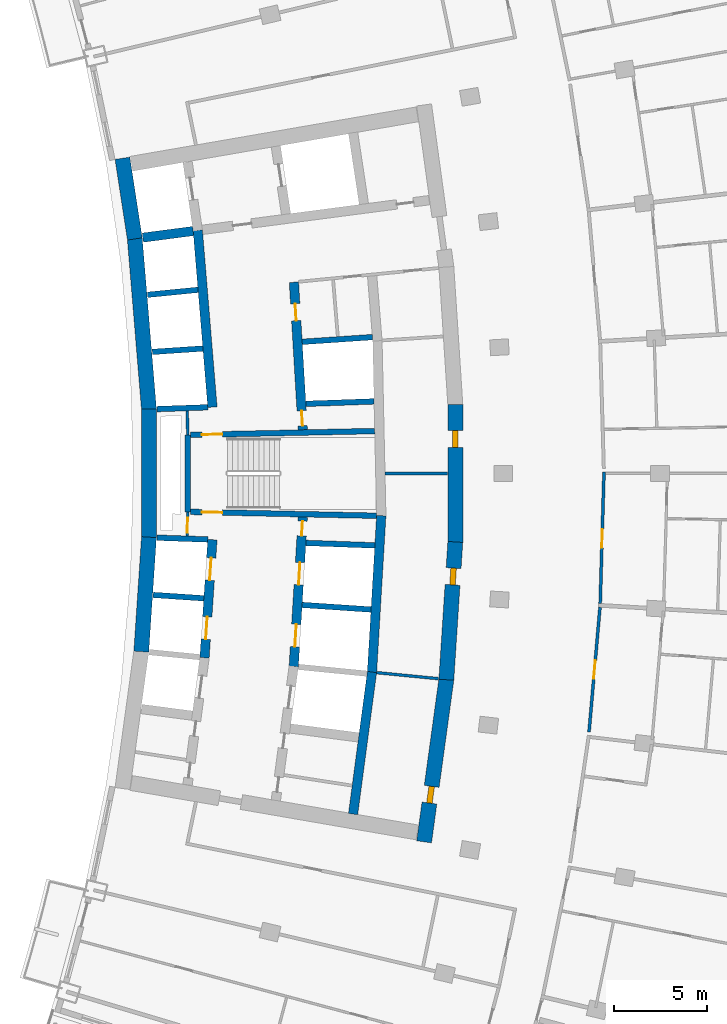
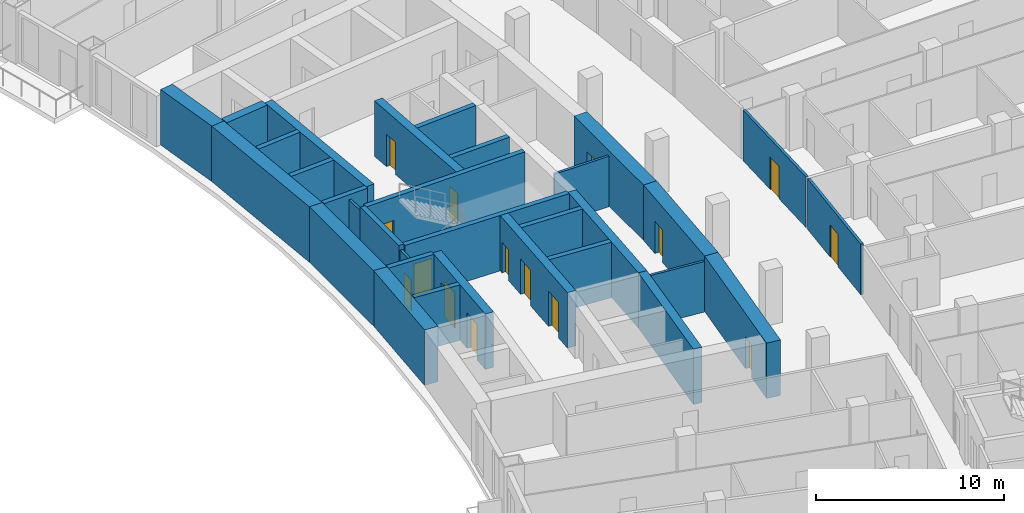
# One storey, part 16 of 25: 32 walls, 15 doors, 15 openings.
"""IFC4 building model written with IfcOpenShell, lengths in metres."""

from ifc_helpers import new_model, si_unit, direction, frame, frame_2d, origin, place, context, subcontext, project, spatial, rectangle, extrude, material, layer, layer_set, type_object, element, fill, save


model = new_model("IFC4")

# Units and contexts
model_context = context("Model", 3, precision=1e-05, world=origin(), true_north=direction((0.0, 1.0)))
body_context = subcontext(model_context, "Body", "Model", "MODEL_VIEW")
ifc_project = project(units=[si_unit("LENGTHUNIT", "METRE"), si_unit("AREAUNIT", "SQUARE_METRE"), si_unit("VOLUMEUNIT", "CUBIC_METRE"), si_unit("PLANEANGLEUNIT", "RADIAN"), si_unit("MASSUNIT", "GRAM", prefix="KILO")], contexts=[model_context])

# Site, building, storey
site_placement = place(None, origin())
site = spatial("IfcSite", under=ifc_project, at=site_placement, CompositionType="ELEMENT")
building_placement = place(site_placement, origin())
building = spatial("IfcBuilding", under=site, at=building_placement, Name="Alderwake Tower", CompositionType="ELEMENT")
storey_placement = place(building_placement, frame((0.0, 0.0, 107.60009765625)))
storey = spatial("IfcBuildingStorey", under=building, at=storey_placement, Name="L26", CompositionType="ELEMENT", Elevation=107.60009765625)

# Wall, opening, door
ifc_material_1 = material(Name="Gypsum shaft wall system, rated")
ifc_layer_1 = layer(ifc_material_1, 0.14990234375)
ifc_layer_set_1 = layer_set([ifc_layer_1], Name="Core room partition 150")
wall_type_1 = type_object("IfcWallType", Name="Core room partition 150", PredefinedType="PARTITIONING", material=ifc_layer_set_1)
wall_1_placement = place(storey_placement, frame((18.918701171875, 58.94384765625, 0.0), z_axis=(0.0, 0.0, 1.0), x_axis=(-0.027348257573, -0.999625966453, 0.0)))
wall_1 = element("IfcWall", 1, at=wall_1_placement, inside=storey, type_object=wall_type_1, Name="CW/L26/PA+24_-37", PredefinedType="PARTITIONING", context=body_context, shape_type="SweptSolid", body=[
    extrude(rectangle(XDim=1.29443359375, YDim=0.14990234375, at=frame_2d((0.647216796875, 0.0))), origin(), (0.0, 0.0, 1.0), 3.27978515625),
])
opening_1_placement = place(wall_1_placement, frame((0.322998046875, 0.0, 0.0)))
opening_1 = element("IfcOpeningElement", 2, at=opening_1_placement, cuts=wall_1, Name="Opening C004", PredefinedType="OPENING", context=body_context, shape_type="SweptSolid", body=[
    extrude(rectangle(XDim=0.800048828125, YDim=2.0, at=frame_2d((0.39990234375, 1.0))), frame((0.0, 0.0849609375, 0.0), z_axis=(0.0, -1.0, 0.0), x_axis=(1.0, 0.0, 0.0)), (0.0, 0.0, 1.0), 0.169921875),
])
ifc_material_2 = material(Name="Painted steel leaf, rated", Category="steel")
door_type_1 = type_object("IfcDoorType", Name="Riser access door 800", OperationType="SINGLE_SWING_LEFT", PredefinedType="DOOR", material=ifc_material_2)
door_1_placement = place(opening_1_placement, origin())
door_1 = element("IfcDoor", 3, at=door_1_placement, inside=storey, type_object=door_type_1, Name="Riser access door", OperationType="SINGLE_SWING_RIGHT", OverallHeight=2.0, OverallWidth=0.800048828125, PredefinedType="DOOR", context=body_context, shape_type="SweptSolid", body=[
    extrude(rectangle(XDim=0.800048828125, YDim=2.0, at=frame_2d((0.39990234375, 1.0))), frame((0.0, 0.02490234375, 0.0), z_axis=(0.0, -1.0, 0.0), x_axis=(1.0, 0.0, 0.0)), (0.0, 0.0, 1.0), 0.050048828125),
])
fill(opening_1, door_1)

# Walls
wall_2_placement = place(storey_placement, frame((18.918701171875, 63.05517578125, 0.0), z_axis=(0.0, 0.0, 1.0), x_axis=(-0.027327648352, 0.999626530078, 0.0)))
element("IfcWall", 4, at=wall_2_placement, inside=storey, type_object=wall_type_1, Name="CW/L26/PA+24_+22", PredefinedType="PARTITIONING", context=body_context, shape_type="SweptSolid", body=[
    extrude(rectangle(XDim=1.29541015625, YDim=0.14990234375, at=frame_2d((0.647705078125, 0.0))), origin(), (0.0, 0.0, 1.0), 3.27978515625),
])
wall_3_placement = place(storey_placement, frame((29.029296875, 50.331298828125, 0.0), z_axis=(0.0, 0.0, 1.0), x_axis=(0.995248248589, -0.097370034814, 0.0)))
element("IfcWall", 5, at=wall_3_placement, inside=storey, type_object=wall_type_1, Name="CW/L26/PR-102_+128", PredefinedType="PARTITIONING", context=body_context, shape_type="SweptSolid", body=[
    extrude(rectangle(XDim=3.31982421875, YDim=0.14990234375, at=frame_2d((1.659912109375, 0.0))), origin(), (0.0, 0.0, 1.0), 3.27978515625),
])
wall_4_placement = place(storey_placement, frame((29.47607421875, 61.0, 0.0), z_axis=(0.0, 0.0, 1.0), x_axis=(1.0, 0.0, 0.0)))
element("IfcWall", 6, at=wall_4_placement, inside=storey, type_object=wall_type_1, Name="CW/L26/PR+0_+128", PredefinedType="PARTITIONING", context=body_context, shape_type="SweptSolid", body=[
    extrude(rectangle(XDim=3.333984375, YDim=0.14990234375, at=frame_2d((1.6669921875, 0.0))), origin(), (0.0, 0.0, 1.0), 3.27978515625),
])
ifc_material_3 = material(Name="Concrete C70/85", Category="concrete")
ifc_layer_2 = layer(ifc_material_3, 0.800048828125)
ifc_layer_set_2 = layer_set([ifc_layer_2], Name="Core wall outer 800 C70-85")
wall_type_2 = type_object("IfcWallType", Name="Core wall outer 800 C70-85", PredefinedType="SHEAR", material=ifc_layer_set_2)
wall_5_placement = place(storey_placement, frame((16.429443359375, 51.45654296875, 0.0), z_axis=(0.0, 0.0, 1.0), x_axis=(0.066885651624, 0.997760647454, 0.0)))
element("IfcWall", 7, at=wall_5_placement, inside=storey, type_object=wall_type_2, Name="Core wall CW.041", PredefinedType="SHEAR", context=body_context, shape_type="SweptSolid", body=[
    extrude(rectangle(XDim=6.14306640625, YDim=0.800048828125, at=frame_2d((3.071533203125, 0.0))), origin(), (0.0, 0.0, 1.0), 3.599853515625),
])
wall_6_placement = place(storey_placement, frame((16.83935546875, 57.558349609375, 0.0), z_axis=(0.0, 0.0, 1.0), x_axis=(0.0, 1.0, 0.0)))
element("IfcWall", 8, at=wall_6_placement, inside=storey, type_object=wall_type_2, Name="Core wall CW.043", PredefinedType="SHEAR", context=body_context, shape_type="SweptSolid", body=[
    extrude(rectangle(XDim=6.886474609375, YDim=0.800048828125, at=frame_2d((3.443359375, 0.0))), origin(), (0.0, 0.0, 1.0), 3.599853515625),
])
wall_7_placement = place(storey_placement, frame((16.8408203125, 64.410888671875, 0.0), z_axis=(0.0, 0.0, 1.0), x_axis=(-0.082619502339, 0.996581164699, 0.0)))
element("IfcWall", 9, at=wall_7_placement, inside=storey, type_object=wall_type_2, Name="Core wall CW.040", PredefinedType="SHEAR", context=body_context, shape_type="SweptSolid", body=[
    extrude(rectangle(XDim=9.201904296875, YDim=0.800048828125, at=frame_2d((4.60107421875, 0.0))), origin(), (0.0, 0.0, 1.0), 3.599853515625),
])
wall_8_placement = place(storey_placement, frame((16.083984375, 73.552490234375, 0.0), z_axis=(0.0, 0.0, 1.0), x_axis=(-0.151981606421, 0.988383322052, 0.0)))
element("IfcWall", 10, at=wall_8_placement, inside=storey, type_object=wall_type_2, Name="Core wall CW.039", PredefinedType="SHEAR", context=body_context, shape_type="SweptSolid", body=[
    extrude(rectangle(XDim=4.369384765625, YDim=0.800048828125, at=frame_2d((2.1845703125, 0.0))), origin(), (0.0, 0.0, 1.0), 3.599853515625),
])

# Wall, opening, door
wall_9_placement = place(storey_placement, frame((32.763427734375, 49.980712890625, 0.0), z_axis=(0.0, 0.0, 1.0), x_axis=(-0.135838347444, -0.990731014637, 0.0)))
wall_9 = element("IfcWall", 11, at=wall_9_placement, inside=storey, type_object=wall_type_2, Name="Core wall CW.012", PredefinedType="SHEAR", context=body_context, shape_type="SweptSolid", body=[
    extrude(rectangle(XDim=8.788818359375, YDim=0.800048828125, at=frame_2d((4.39453125, 0.0))), origin(), (0.0, 0.0, 1.0), 3.599853515625),
])
opening_2_placement = place(wall_9_placement, frame((5.79345703125, 0.0, 0.0)))
opening_2 = element("IfcOpeningElement", 12, at=opening_2_placement, cuts=wall_9, Name="Opening C060", PredefinedType="OPENING", context=body_context, shape_type="SweptSolid", body=[
    extrude(rectangle(XDim=0.89990234375, YDim=2.10009765625, at=frame_2d((0.449951171875, 1.050048828125))), frame((0.0, 0.409912109375, 0.0), z_axis=(0.0, -1.0, 0.0), x_axis=(1.0, 0.0, 0.0)), (0.0, 0.0, 1.0), 0.820068359375),
])
ifc_material_4 = material(Name="Painted steel leaf", Category="steel")
door_type_2 = type_object("IfcDoorType", Name="Core room door 900", OperationType="SINGLE_SWING_LEFT", PredefinedType="DOOR", material=ifc_material_4)
door_2_placement = place(opening_2_placement, origin())
door_2 = element("IfcDoor", 13, at=door_2_placement, inside=storey, type_object=door_type_2, Name="Room door", OperationType="SINGLE_SWING_LEFT", OverallHeight=2.10009765625, OverallWidth=0.89990234375, PredefinedType="DOOR", context=body_context, shape_type="SweptSolid", body=[
    extrude(rectangle(XDim=0.89990234375, YDim=2.10009765625, at=frame_2d((0.449951171875, 1.050048828125))), frame((0.0, 0.14990234375, 0.0), z_axis=(0.0, -1.0, 0.0), x_axis=(1.0, 0.0, 0.0)), (0.0, 0.0, 1.0), 0.300048828125),
])
fill(opening_2, door_2)

wall_10_placement = place(storey_placement, frame((33.240966796875, 57.330322265625, 0.0), z_axis=(0.0, 0.0, 1.0), x_axis=(-0.064976219143, -0.997886812693, 0.0)))
wall_10 = element("IfcWall", 14, at=wall_10_placement, inside=storey, type_object=wall_type_2, Name="Core wall CW.011", PredefinedType="SHEAR", context=body_context, shape_type="SweptSolid", body=[
    extrude(rectangle(XDim=7.39453125, YDim=0.800048828125, at=frame_2d((3.697265625, 0.0))), origin(), (0.0, 0.0, 1.0), 3.599853515625),
])
opening_3_placement = place(wall_10_placement, frame((1.40478515625, 0.0, 0.0)))
opening_3 = element("IfcOpeningElement", 15, at=opening_3_placement, cuts=wall_10, Name="Opening C025", PredefinedType="OPENING", context=body_context, shape_type="SweptSolid", body=[
    extrude(rectangle(XDim=0.89990234375, YDim=2.10009765625, at=frame_2d((0.449951171875, 1.050048828125))), frame((0.0, 0.409912109375, 0.0), z_axis=(0.0, -1.0, 0.0), x_axis=(1.0, 0.0, 0.0)), (0.0, 0.0, 1.0), 0.820068359375),
])
door_3_placement = place(opening_3_placement, origin())
door_3 = element("IfcDoor", 16, at=door_3_placement, inside=storey, type_object=door_type_2, Name="Room door", OperationType="SINGLE_SWING_RIGHT", OverallHeight=2.10009765625, OverallWidth=0.89990234375, PredefinedType="DOOR", context=body_context, shape_type="SweptSolid", body=[
    extrude(rectangle(XDim=0.89990234375, YDim=2.10009765625, at=frame_2d((0.449951171875, 1.050048828125))), frame((0.0, 0.14990234375, 0.0), z_axis=(0.0, -1.0, 0.0), x_axis=(1.0, 0.0, 0.0)), (0.0, 0.0, 1.0), 0.300048828125),
])
fill(opening_3, door_3)

wall_11_placement = place(storey_placement, frame((33.239990234375, 64.69677734375, 0.0), z_axis=(0.0, 0.0, 1.0), x_axis=(0.0, -1.0, 0.0)))
wall_11 = element("IfcWall", 17, at=wall_11_placement, inside=storey, type_object=wall_type_2, Name="Core wall CW.013", PredefinedType="SHEAR", context=body_context, shape_type="SweptSolid", body=[
    extrude(rectangle(XDim=7.3935546875, YDim=0.800048828125, at=frame_2d((3.69677734375, 0.0))), origin(), (0.0, 0.0, 1.0), 3.599853515625),
])
opening_4_placement = place(wall_11_placement, frame((1.40478515625, 0.0, 0.0)))
opening_4 = element("IfcOpeningElement", 18, at=opening_4_placement, cuts=wall_11, Name="Opening C033", PredefinedType="OPENING", context=body_context, shape_type="SweptSolid", body=[
    extrude(rectangle(XDim=0.89990234375, YDim=2.10009765625, at=frame_2d((0.449951171875, 1.050048828125))), frame((0.0, 0.409912109375, 0.0), z_axis=(0.0, -1.0, 0.0), x_axis=(1.0, 0.0, 0.0)), (0.0, 0.0, 1.0), 0.820068359375),
])
door_4_placement = place(opening_4_placement, origin())
door_4 = element("IfcDoor", 19, at=door_4_placement, inside=storey, type_object=door_type_2, Name="Room door", OperationType="SINGLE_SWING_LEFT", OverallHeight=2.10009765625, OverallWidth=0.89990234375, PredefinedType="DOOR", context=body_context, shape_type="SweptSolid", body=[
    extrude(rectangle(XDim=0.89990234375, YDim=2.10009765625, at=frame_2d((0.449951171875, 1.050048828125))), frame((0.0, 0.14990234375, 0.0), z_axis=(0.0, -1.0, 0.0), x_axis=(1.0, 0.0, 0.0)), (0.0, 0.0, 1.0), 0.300048828125),
])
fill(opening_4, door_4)

# Walls
ifc_material_5 = material(Name="Concrete C70/85", Category="concrete")
ifc_layer_3 = layer(ifc_material_5, 0.300048828125)
ifc_layer_set_3 = layer_set([ifc_layer_3], Name="Core wall shaft 300 C70-85")
wall_type_3 = type_object("IfcWallType", Name="Core wall shaft 300 C70-85", PredefinedType="SHEAR", material=ifc_layer_set_3)
wall_12_placement = place(storey_placement, frame((17.06396484375, 54.492919921875, 0.0), z_axis=(0.0, 0.0, 1.0), x_axis=(0.997758851023, -0.066912444326, 0.0)))
element("IfcWall", 20, at=wall_12_placement, inside=storey, type_object=wall_type_3, Name="Core wall CW.079", PredefinedType="SHEAR", context=body_context, shape_type="SweptSolid", body=[
    extrude(rectangle(XDim=2.71826171875, YDim=0.300048828125, at=frame_2d((1.359130859375, 0.0))), origin(), (0.0, 0.0, 1.0), 3.599853515625),
])
wall_13_placement = place(storey_placement, frame((25.0400390625, 53.9580078125, 0.0), z_axis=(0.0, 0.0, 1.0), x_axis=(0.997759957359, -0.066895945251, 0.0)))
element("IfcWall", 21, at=wall_13_placement, inside=storey, type_object=wall_type_3, Name="Core wall CW.080", PredefinedType="SHEAR", context=body_context, shape_type="SweptSolid", body=[
    extrude(rectangle(XDim=3.697021484375, YDim=0.300048828125, at=frame_2d((1.8486328125, 0.0))), origin(), (0.0, 0.0, 1.0), 3.599853515625),
])
wall_14_placement = place(storey_placement, frame((17.269287109375, 57.556884765625, 0.0), z_axis=(0.0, 0.0, 1.0), x_axis=(0.999374351644, -0.035368139275, 0.0)))
element("IfcWall", 22, at=wall_14_placement, inside=storey, type_object=wall_type_3, Name="Core wall CW.076", PredefinedType="SHEAR", context=body_context, shape_type="SweptSolid", body=[
    extrude(rectangle(XDim=2.7197265625, YDim=0.300048828125, at=frame_2d((1.35986328125, 0.0))), origin(), (0.0, 0.0, 1.0), 3.599853515625),
])
wall_15_placement = place(storey_placement, frame((25.240478515625, 57.27490234375, 0.0), z_axis=(0.0, 0.0, 1.0), x_axis=(0.999372332678, -0.035425141877, 0.0)))
element("IfcWall", 23, at=wall_15_placement, inside=storey, type_object=wall_type_3, Name="Core wall CW.077", PredefinedType="SHEAR", context=body_context, shape_type="SweptSolid", body=[
    extrude(rectangle(XDim=3.69384765625, YDim=0.300048828125, at=frame_2d((1.846923828125, 0.0))), origin(), (0.0, 0.0, 1.0), 3.599853515625),
])
wall_16_placement = place(storey_placement, frame((17.269287109375, 64.443115234375, 0.0), z_axis=(0.0, 0.0, 1.0), x_axis=(0.999374239339, 0.03537131246, 0.0)))
element("IfcWall", 24, at=wall_16_placement, inside=storey, type_object=wall_type_3, Name="Core wall CW.059", PredefinedType="SHEAR", context=body_context, shape_type="SweptSolid", body=[
    extrude(rectangle(XDim=2.719482421875, YDim=0.300048828125, at=frame_2d((1.35986328125, 0.0))), origin(), (0.0, 0.0, 1.0), 3.599853515625),
])
wall_17_placement = place(storey_placement, frame((25.2412109375, 64.725341796875, 0.0), z_axis=(0.0, 0.0, 1.0), x_axis=(0.999374468163, 0.035364846723, 0.0)))
element("IfcWall", 25, at=wall_17_placement, inside=storey, type_object=wall_type_3, Name="Core wall CW.060", PredefinedType="SHEAR", context=body_context, shape_type="SweptSolid", body=[
    extrude(rectangle(XDim=3.65185546875, YDim=0.300048828125, at=frame_2d((1.825927734375, 0.0))), origin(), (0.0, 0.0, 1.0), 3.599853515625),
])
wall_18_placement = place(storey_placement, frame((17.015869140625, 67.50390625, 0.0), z_axis=(0.0, 0.0, 1.0), x_axis=(0.997756033475, 0.066954444689, 0.0)))
element("IfcWall", 26, at=wall_18_placement, inside=storey, type_object=wall_type_3, Name="Core wall CW.062", PredefinedType="SHEAR", context=body_context, shape_type="SweptSolid", body=[
    extrude(rectangle(XDim=2.716552734375, YDim=0.300048828125, at=frame_2d((1.3583984375, 0.0))), origin(), (0.0, 0.0, 1.0), 3.599853515625),
])
wall_19_placement = place(storey_placement, frame((25.042236328125, 68.0419921875, 0.0), z_axis=(0.0, 0.0, 1.0), x_axis=(0.997758420026, 0.066918870789, 0.0)))
element("IfcWall", 27, at=wall_19_placement, inside=storey, type_object=wall_type_3, Name="Core wall CW.063", PredefinedType="SHEAR", context=body_context, shape_type="SweptSolid", body=[
    extrude(rectangle(XDim=3.768798828125, YDim=0.300048828125, at=frame_2d((1.88427734375, 0.0))), origin(), (0.0, 0.0, 1.0), 3.599853515625),
])
wall_20_placement = place(storey_placement, frame((16.76220703125, 70.561767578125, 0.0), z_axis=(0.0, 0.0, 1.0), x_axis=(0.995154832978, 0.098320183083, 0.0)))
element("IfcWall", 28, at=wall_20_placement, inside=storey, type_object=wall_type_3, Name="Core wall CW.050", PredefinedType="SHEAR", context=body_context, shape_type="SweptSolid", body=[
    extrude(rectangle(XDim=2.716552734375, YDim=0.300048828125, at=frame_2d((1.3583984375, 0.0))), origin(), (0.0, 0.0, 1.0), 3.599853515625),
])

# Wall, openings, doors
ifc_material_6 = material(Name="Concrete C70/85", Category="concrete")
ifc_layer_4 = layer(ifc_material_6, 0.5)
ifc_layer_set_4 = layer_set([ifc_layer_4], Name="Core wall spine 500 C70-85")
wall_type_4 = type_object("IfcWallType", Name="Core wall spine 500 C70-85", PredefinedType="SHEAR", material=ifc_layer_set_4)
wall_21_placement = place(storey_placement, frame((19.813232421875, 51.1279296875, 0.0), z_axis=(0.0, 0.0, 1.0), x_axis=(0.066907604831, 0.997759175561, 0.0)))
wall_21 = element("IfcWall", 29, at=wall_21_placement, inside=storey, type_object=wall_type_4, Name="Core wall CW.032", PredefinedType="SHEAR", context=body_context, shape_type="SweptSolid", body=[
    extrude(rectangle(XDim=6.338134765625, YDim=0.5, at=frame_2d((3.1689453125, 0.0))), origin(), (0.0, 0.0, 1.0), 3.599853515625),
])
opening_5_placement = place(wall_21_placement, frame((0.990966796875, 0.0, 0.0)))
opening_5 = element("IfcOpeningElement", 30, at=opening_5_placement, cuts=wall_21, Name="Opening LD-LP2", PredefinedType="OPENING", context=body_context, shape_type="SweptSolid", body=[
    extrude(rectangle(XDim=1.199951171875, YDim=2.300048828125, at=frame_2d((0.60009765625, 1.14990234375))), frame((0.0, 0.260009765625, 0.0), z_axis=(0.0, -1.0, 0.0), x_axis=(1.0, 0.0, 0.0)), (0.0, 0.0, 1.0), 0.52001953125),
])
opening_6_placement = place(wall_21_placement, frame((4.156005859375, 0.0, 0.0)))
opening_6 = element("IfcOpeningElement", 31, at=opening_6_placement, cuts=wall_21, Name="Opening LD-LP3", PredefinedType="OPENING", context=body_context, shape_type="SweptSolid", body=[
    extrude(rectangle(XDim=1.199951171875, YDim=2.300048828125, at=frame_2d((0.60009765625, 1.14990234375))), frame((0.0, 0.260009765625, 0.0), z_axis=(0.0, -1.0, 0.0), x_axis=(1.0, 0.0, 0.0)), (0.0, 0.0, 1.0), 0.52001953125),
])
ifc_material_7 = material(Name="Stainless steel sliding leaf", Category="steel")
door_type_3 = type_object("IfcDoorType", Name="Lift landing door 1200", OperationType="SLIDING_TO_LEFT", PredefinedType="DOOR", material=ifc_material_7)
door_5_placement = place(opening_5_placement, origin())
door_5 = element("IfcDoor", 32, at=door_5_placement, inside=storey, type_object=door_type_3, Name="Lift landing door LP2", OperationType="SLIDING_TO_LEFT", OverallHeight=2.300048828125, OverallWidth=1.199951171875, PredefinedType="DOOR", context=body_context, shape_type="SweptSolid", body=[
    extrude(rectangle(XDim=1.199951171875, YDim=2.300048828125, at=frame_2d((0.60009765625, 1.14990234375))), frame((0.0, 0.02490234375, 0.0), z_axis=(0.0, -1.0, 0.0), x_axis=(1.0, 0.0, 0.0)), (0.0, 0.0, 1.0), 0.050048828125),
])
fill(opening_5, door_5)
door_6_placement = place(opening_6_placement, origin())
door_6 = element("IfcDoor", 33, at=door_6_placement, inside=storey, type_object=door_type_3, Name="Lift landing door LP3", OperationType="SLIDING_TO_LEFT", OverallHeight=2.300048828125, OverallWidth=1.199951171875, PredefinedType="DOOR", context=body_context, shape_type="SweptSolid", body=[
    extrude(rectangle(XDim=1.199951171875, YDim=2.300048828125, at=frame_2d((0.60009765625, 1.14990234375))), frame((0.0, 0.02490234375, 0.0), z_axis=(0.0, -1.0, 0.0), x_axis=(1.0, 0.0, 0.0)), (0.0, 0.0, 1.0), 0.050048828125),
])
fill(opening_6, door_6)

# Wall
wall_22_placement = place(storey_placement, frame((20.2373046875, 64.548095703125, 0.0), z_axis=(0.0, 0.0, 1.0), x_axis=(-0.082641410547, 0.996579348202, 0.0)))
element("IfcWall", 34, at=wall_22_placement, inside=storey, type_object=wall_type_4, Name="Core wall CW.031", PredefinedType="SHEAR", context=body_context, shape_type="SweptSolid", body=[
    extrude(rectangle(XDim=9.500732421875, YDim=0.5, at=frame_2d((4.75048828125, 0.0))), origin(), (0.0, 0.0, 1.0), 3.599853515625),
])

# Wall, openings, doors
wall_23_placement = place(storey_placement, frame((24.590087890625, 50.655029296875, 0.0), z_axis=(0.0, 0.0, 1.0), x_axis=(0.060305817737, 0.998179947879, 0.0)))
wall_23 = element("IfcWall", 35, at=wall_23_placement, inside=storey, type_object=wall_type_4, Name="Core wall CW.046", PredefinedType="SHEAR", context=body_context, shape_type="SweptSolid", body=[
    extrude(rectangle(XDim=8.02392578125, YDim=0.5, at=frame_2d((4.011962890625, 0.0))), origin(), (0.0, 0.0, 1.0), 3.599853515625),
])
opening_7_placement = place(wall_23_placement, frame((1.067138671875, 0.0, 0.0)))
opening_7 = element("IfcOpeningElement", 36, at=opening_7_placement, cuts=wall_23, Name="Opening LD-LP5", PredefinedType="OPENING", context=body_context, shape_type="SweptSolid", body=[
    extrude(rectangle(XDim=1.199951171875, YDim=2.300048828125, at=frame_2d((0.60009765625, 1.14990234375))), frame((0.0, 0.260009765625, 0.0), z_axis=(0.0, -1.0, 0.0), x_axis=(1.0, 0.0, 0.0)), (0.0, 0.0, 1.0), 0.52001953125),
])
opening_8_placement = place(wall_23_placement, frame((4.383544921875, 0.0, 0.0)))
opening_8 = element("IfcOpeningElement", 37, at=opening_8_placement, cuts=wall_23, Name="Opening LD-LP6", PredefinedType="OPENING", context=body_context, shape_type="SweptSolid", body=[
    extrude(rectangle(XDim=1.199951171875, YDim=2.300048828125, at=frame_2d((0.60009765625, 1.14990234375))), frame((0.0, 0.260009765625, 0.0), z_axis=(0.0, -1.0, 0.0), x_axis=(1.0, 0.0, 0.0)), (0.0, 0.0, 1.0), 0.52001953125),
])
opening_9_placement = place(wall_23_placement, frame((7.0078125, 0.0, 0.0)))
opening_9 = element("IfcOpeningElement", 38, at=opening_9_placement, cuts=wall_23, Name="Opening C006", PredefinedType="OPENING", context=body_context, shape_type="SweptSolid", body=[
    extrude(rectangle(XDim=0.800048828125, YDim=2.0, at=frame_2d((0.39990234375, 1.0))), frame((0.0, 0.260009765625, 0.0), z_axis=(0.0, -1.0, 0.0), x_axis=(1.0, 0.0, 0.0)), (0.0, 0.0, 1.0), 0.52001953125),
])
door_7_placement = place(opening_7_placement, origin())
door_7 = element("IfcDoor", 39, at=door_7_placement, inside=storey, type_object=door_type_3, Name="Lift landing door LP5", OperationType="SLIDING_TO_LEFT", OverallHeight=2.300048828125, OverallWidth=1.199951171875, PredefinedType="DOOR", context=body_context, shape_type="SweptSolid", body=[
    extrude(rectangle(XDim=1.199951171875, YDim=2.300048828125, at=frame_2d((0.60009765625, 1.14990234375))), frame((0.0, 0.02490234375, 0.0), z_axis=(0.0, -1.0, 0.0), x_axis=(1.0, 0.0, 0.0)), (0.0, 0.0, 1.0), 0.050048828125),
])
fill(opening_7, door_7)
door_8_placement = place(opening_8_placement, origin())
door_8 = element("IfcDoor", 40, at=door_8_placement, inside=storey, type_object=door_type_3, Name="Lift landing door LP6", OperationType="SLIDING_TO_LEFT", OverallHeight=2.300048828125, OverallWidth=1.199951171875, PredefinedType="DOOR", context=body_context, shape_type="SweptSolid", body=[
    extrude(rectangle(XDim=1.199951171875, YDim=2.300048828125, at=frame_2d((0.60009765625, 1.14990234375))), frame((0.0, 0.02490234375, 0.0), z_axis=(0.0, -1.0, 0.0), x_axis=(1.0, 0.0, 0.0)), (0.0, 0.0, 1.0), 0.050048828125),
])
fill(opening_8, door_8)
door_9_placement = place(opening_9_placement, origin())
door_9 = element("IfcDoor", 41, at=door_9_placement, inside=storey, type_object=door_type_1, Name="Riser access door", OperationType="SINGLE_SWING_RIGHT", OverallHeight=2.0, OverallWidth=0.800048828125, PredefinedType="DOOR", context=body_context, shape_type="SweptSolid", body=[
    extrude(rectangle(XDim=0.800048828125, YDim=2.0, at=frame_2d((0.39990234375, 1.0))), frame((0.0, 0.02490234375, 0.0), z_axis=(0.0, -1.0, 0.0), x_axis=(1.0, 0.0, 0.0)), (0.0, 0.0, 1.0), 0.050048828125),
])
fill(opening_9, door_9)

wall_24_placement = place(storey_placement, frame((25.073974609375, 63.335693359375, 0.0), z_axis=(0.0, 0.0, 1.0), x_axis=(-0.059848641072, 0.998207463487, 0.0)))
wall_24 = element("IfcWall", 42, at=wall_24_placement, inside=storey, type_object=wall_type_4, Name="Core wall CW.045", PredefinedType="SHEAR", context=body_context, shape_type="SweptSolid", body=[
    extrude(rectangle(XDim=7.913818359375, YDim=0.5, at=frame_2d((3.95703125, 0.0))), origin(), (0.0, 0.0, 1.0), 3.599853515625),
])
opening_10_placement = place(wall_24_placement, frame((0.216064453125, 0.0, 0.0)))
opening_10 = element("IfcOpeningElement", 43, at=opening_10_placement, cuts=wall_24, Name="Opening C005", PredefinedType="OPENING", context=body_context, shape_type="SweptSolid", body=[
    extrude(rectangle(XDim=0.800048828125, YDim=2.0, at=frame_2d((0.39990234375, 1.0))), frame((0.0, 0.260009765625, 0.0), z_axis=(0.0, -1.0, 0.0), x_axis=(1.0, 0.0, 0.0)), (0.0, 0.0, 1.0), 0.52001953125),
])
opening_11_placement = place(wall_24_placement, frame((5.856201171875, 0.0, 0.0)))
opening_11 = element("IfcOpeningElement", 44, at=opening_11_placement, cuts=wall_24, Name="Opening C024", PredefinedType="OPENING", context=body_context, shape_type="SweptSolid", body=[
    extrude(rectangle(XDim=0.89990234375, YDim=2.10009765625, at=frame_2d((0.449951171875, 1.050048828125))), frame((0.0, 0.260009765625, 0.0), z_axis=(0.0, -1.0, 0.0), x_axis=(1.0, 0.0, 0.0)), (0.0, 0.0, 1.0), 0.52001953125),
])
door_10_placement = place(opening_11_placement, origin())
door_10 = element("IfcDoor", 45, at=door_10_placement, inside=storey, type_object=door_type_2, Name="Room door", OperationType="SINGLE_SWING_LEFT", OverallHeight=2.10009765625, OverallWidth=0.89990234375, PredefinedType="DOOR", context=body_context, shape_type="SweptSolid", body=[
    extrude(rectangle(XDim=0.89990234375, YDim=2.10009765625, at=frame_2d((0.449951171875, 1.050048828125))), frame((0.0, 0.02490234375, 0.0), z_axis=(0.0, -1.0, 0.0), x_axis=(1.0, 0.0, 0.0)), (0.0, 0.0, 1.0), 0.050048828125),
])
fill(opening_11, door_10)
door_11_placement = place(opening_10_placement, origin())
door_11 = element("IfcDoor", 46, at=door_11_placement, inside=storey, type_object=door_type_1, Name="Riser access door", OperationType="SINGLE_SWING_LEFT", OverallHeight=2.0, OverallWidth=0.800048828125, PredefinedType="DOOR", context=body_context, shape_type="SweptSolid", body=[
    extrude(rectangle(XDim=0.800048828125, YDim=2.0, at=frame_2d((0.39990234375, 1.0))), frame((0.0, 0.02490234375, 0.0), z_axis=(0.0, -1.0, 0.0), x_axis=(1.0, 0.0, 0.0)), (0.0, 0.0, 1.0), 0.050048828125),
])
fill(opening_10, door_11)

# Walls
wall_25_placement = place(storey_placement, frame((27.76708984375, 42.75830078125, 0.0), z_axis=(0.0, 0.0, 1.0), x_axis=(0.132213731211, 0.991221231249, 0.0)))
element("IfcWall", 47, at=wall_25_placement, inside=storey, type_object=wall_type_4, Name="Core wall CW.006", PredefinedType="SHEAR", context=body_context, shape_type="SweptSolid", body=[
    extrude(rectangle(XDim=7.67431640625, YDim=0.5, at=frame_2d((3.837158203125, 0.0))), origin(), (0.0, 0.0, 1.0), 3.599853515625),
])
wall_26_placement = place(storey_placement, frame((28.77978515625, 50.345947265625, 0.0), z_axis=(0.0, 0.0, 1.0), x_axis=(0.059159556477, 0.998248539632, 0.0)))
element("IfcWall", 48, at=wall_26_placement, inside=storey, type_object=wall_type_4, Name="Core wall CW.004", PredefinedType="SHEAR", context=body_context, shape_type="SweptSolid", body=[
    extrude(rectangle(XDim=8.40625, YDim=0.5, at=frame_2d((4.203125, 0.0))), origin(), (0.0, 0.0, 1.0), 3.599853515625),
])
wall_27_placement = place(storey_placement, frame((16.508544921875, 73.62255859375, 0.0), z_axis=(0.0, 0.0, 1.0), x_axis=(0.991548766325, 0.129734513522, 0.0)))
element("IfcWall", 49, at=wall_27_placement, inside=storey, type_object=wall_type_4, Name="Core wall CW.051", PredefinedType="SHEAR", context=body_context, shape_type="SweptSolid", body=[
    extrude(rectangle(XDim=2.71923828125, YDim=0.5, at=frame_2d((1.359619140625, 0.0))), origin(), (0.0, 0.0, 1.0), 3.599853515625),
])
ifc_material_8 = material(Name="Concrete C70/85", Category="concrete")
ifc_layer_5 = layer(ifc_material_8, 0.300048828125)
ifc_layer_set_5 = layer_set([ifc_layer_5], Name="Core wall stair enclosure 300 C70-85")
wall_type_5 = type_object("IfcWallType", Name="Core wall stair enclosure 300 C70-85", PredefinedType="SHEAR", material=ifc_layer_set_5)
wall_28_placement = place(storey_placement, frame((18.918701171875, 58.94091796875, 0.0), z_axis=(0.0, 0.0, 1.0), x_axis=(0.0, 1.0, 0.0)))
element("IfcWall", 50, at=wall_28_placement, inside=storey, type_object=wall_type_5, Name="Core wall CW.024", PredefinedType="SHEAR", context=body_context, shape_type="SweptSolid", body=[
    extrude(rectangle(XDim=4.119384765625, YDim=0.300048828125, at=frame_2d((2.0595703125, 0.0))), origin(), (0.0, 0.0, 1.0), 3.599853515625),
])

# Wall, opening, door
wall_29_placement = place(storey_placement, frame((29.026123046875, 58.73193359375, 0.0), z_axis=(0.0, 0.0, 1.0), x_axis=(-0.999783418156, 0.020811457903, 0.0)))
wall_29 = element("IfcWall", 51, at=wall_29_placement, inside=storey, type_object=wall_type_5, Name="Core wall CW.074", PredefinedType="SHEAR", context=body_context, shape_type="SweptSolid", body=[
    extrude(rectangle(XDim=9.959716796875, YDim=0.300048828125, at=frame_2d((4.97998046875, 0.0))), origin(), (0.0, 0.0, 1.0), 3.599853515625),
])
opening_12_placement = place(wall_29_placement, frame((8.259765625, 0.0, 0.0)))
opening_12 = element("IfcOpeningElement", 52, at=opening_12_placement, cuts=wall_29, Name="Opening C063", PredefinedType="OPENING", context=body_context, shape_type="SweptSolid", body=[
    extrude(rectangle(XDim=1.10009765625, YDim=2.10009765625, at=frame_2d((0.550048828125, 1.050048828125))), frame((0.0, 0.159912109375, 0.0), z_axis=(0.0, -1.0, 0.0), x_axis=(1.0, 0.0, 0.0)), (0.0, 0.0, 1.0), 0.320068359375),
])
ifc_material_9 = material(Name="Steel-framed fire door leaf", Category="steel")
door_type_4 = type_object("IfcDoorType", Name="Core stair door 1100 fire-rated", OperationType="SINGLE_SWING_LEFT", PredefinedType="DOOR", material=ifc_material_9)
door_12_placement = place(opening_12_placement, origin())
door_12 = element("IfcDoor", 53, at=door_12_placement, inside=storey, type_object=door_type_4, Name="Stair door", OperationType="SINGLE_SWING_LEFT", OverallHeight=2.10009765625, OverallWidth=1.10009765625, PredefinedType="DOOR", context=body_context, shape_type="SweptSolid", body=[
    extrude(rectangle(XDim=1.10009765625, YDim=2.10009765625, at=frame_2d((0.550048828125, 1.050048828125))), frame((0.0, 0.02490234375, 0.0), z_axis=(0.0, -1.0, 0.0), x_axis=(1.0, 0.0, 0.0)), (0.0, 0.0, 1.0), 0.050048828125),
])
fill(opening_12, door_12)

wall_30_placement = place(storey_placement, frame((19.068603515625, 63.060791015625, 0.0), z_axis=(0.0, 0.0, 1.0), x_axis=(0.999783647187, 0.02080045235, 0.0)))
wall_30 = element("IfcWall", 54, at=wall_30_placement, inside=storey, type_object=wall_type_5, Name="Core wall CW.057", PredefinedType="SHEAR", context=body_context, shape_type="SweptSolid", body=[
    extrude(rectangle(XDim=9.859375, YDim=0.300048828125, at=frame_2d((4.9296875, 0.0))), origin(), (0.0, 0.0, 1.0), 3.599853515625),
])
opening_13_placement = place(wall_30_placement, frame((0.60009765625, 0.0, 0.0)))
opening_13 = element("IfcOpeningElement", 55, at=opening_13_placement, cuts=wall_30, Name="Opening C064", PredefinedType="OPENING", context=body_context, shape_type="SweptSolid", body=[
    extrude(rectangle(XDim=1.10009765625, YDim=2.10009765625, at=frame_2d((0.550048828125, 1.050048828125))), frame((0.0, 0.159912109375, 0.0), z_axis=(0.0, -1.0, 0.0), x_axis=(1.0, 0.0, 0.0)), (0.0, 0.0, 1.0), 0.320068359375),
])
door_13_placement = place(opening_13_placement, origin())
door_13 = element("IfcDoor", 56, at=door_13_placement, inside=storey, type_object=door_type_4, Name="Stair door", OperationType="SINGLE_SWING_RIGHT", OverallHeight=2.10009765625, OverallWidth=1.10009765625, PredefinedType="DOOR", context=body_context, shape_type="SweptSolid", body=[
    extrude(rectangle(XDim=1.10009765625, YDim=2.10009765625, at=frame_2d((0.550048828125, 1.050048828125))), frame((0.0, 0.02490234375, 0.0), z_axis=(0.0, -1.0, 0.0), x_axis=(1.0, 0.0, 0.0)), (0.0, 0.0, 1.0), 0.050048828125),
])
fill(opening_13, door_13)

ifc_material_10 = material(Name="Gypsum board on metal studs, rated")
ifc_layer_6 = layer(ifc_material_10, 0.159912109375)
ifc_layer_set_6 = layer_set([ifc_layer_6], Name="Corridor wall 160")
wall_type_6 = type_object("IfcWallType", Name="Corridor wall 160", PredefinedType="PARTITIONING", material=ifc_layer_set_6)
wall_31_placement = place(storey_placement, frame((40.986328125, 53.834228515625, 0.0), z_axis=(0.0, 0.0, 1.0), x_axis=(-0.087437661692, -0.996169993183, 0.0)))
wall_31 = element("IfcWall", 57, at=wall_31_placement, inside=storey, type_object=wall_type_6, Name="WL/L26/W37", PredefinedType="PARTITIONING", context=body_context, shape_type="SweptSolid", body=[
    extrude(rectangle(XDim=6.701171875, YDim=0.159912109375, at=frame_2d((3.3505859375, 0.0))), origin(), (0.0, 0.0, 1.0), 3.27978515625),
])
opening_14_placement = place(wall_31_placement, frame((2.8505859375, 0.0, 0.0)))
opening_14 = element("IfcOpeningElement", 58, at=opening_14_placement, cuts=wall_31, Name="Opening R07-U06.2", PredefinedType="OPENING", context=body_context, shape_type="SweptSolid", body=[
    extrude(rectangle(XDim=1.0, YDim=2.10009765625, at=frame_2d((0.5, 1.050048828125))), frame((0.0, 0.08984375, 0.0), z_axis=(0.0, -1.0, 0.0), x_axis=(1.0, 0.0, 0.0)), (0.0, 0.0, 1.0), 0.179931640625),
])
ifc_material_11 = material(Name="Solid timber leaf in steel frame", Category="steel")
door_type_5 = type_object("IfcDoorType", Name="Flat entrance door 1000 fire-rated", OperationType="SINGLE_SWING_LEFT", PredefinedType="DOOR", material=ifc_material_11)
door_14_placement = place(opening_14_placement, origin())
door_14 = element("IfcDoor", 59, at=door_14_placement, inside=storey, type_object=door_type_5, Name="DR/L26/U06.2", OperationType="SINGLE_SWING_LEFT", OverallHeight=2.10009765625, OverallWidth=1.0, PredefinedType="DOOR", context=body_context, shape_type="SweptSolid", body=[
    extrude(rectangle(XDim=1.0, YDim=2.10009765625, at=frame_2d((0.5, 1.050048828125))), frame((0.0, 0.02490234375, 0.0), z_axis=(0.0, -1.0, 0.0), x_axis=(1.0, 0.0, 0.0)), (0.0, 0.0, 1.0), 0.050048828125),
])
fill(opening_14, door_14)

wall_32_placement = place(storey_placement, frame((41.201416015625, 61.0791015625, 0.0), z_axis=(0.0, 0.0, 1.0), x_axis=(-0.028889070526, -0.999582623701, 0.0)))
wall_32 = element("IfcWall", 60, at=wall_32_placement, inside=storey, type_object=wall_type_6, Name="WL/L26/W40", PredefinedType="PARTITIONING", context=body_context, shape_type="SweptSolid", body=[
    extrude(rectangle(XDim=7.048095703125, YDim=0.159912109375, at=frame_2d((3.52392578125, 0.0))), origin(), (0.0, 0.0, 1.0), 3.27978515625),
])
opening_15_placement = place(wall_32_placement, frame((3.0634765625, 0.0, 0.0)))
opening_15 = element("IfcOpeningElement", 61, at=opening_15_placement, cuts=wall_32, Name="Opening R07-U07.2", PredefinedType="OPENING", context=body_context, shape_type="SweptSolid", body=[
    extrude(rectangle(XDim=1.0, YDim=2.10009765625, at=frame_2d((0.5, 1.050048828125))), frame((0.0, 0.08984375, 0.0), z_axis=(0.0, -1.0, 0.0), x_axis=(1.0, 0.0, 0.0)), (0.0, 0.0, 1.0), 0.179931640625),
])
door_15_placement = place(opening_15_placement, origin())
door_15 = element("IfcDoor", 62, at=door_15_placement, inside=storey, type_object=door_type_5, Name="DR/L26/U07.2", OperationType="SINGLE_SWING_LEFT", OverallHeight=2.10009765625, OverallWidth=1.0, PredefinedType="DOOR", context=body_context, shape_type="SweptSolid", body=[
    extrude(rectangle(XDim=1.0, YDim=2.10009765625, at=frame_2d((0.5, 1.050048828125))), frame((0.0, 0.02490234375, 0.0), z_axis=(0.0, -1.0, 0.0), x_axis=(1.0, 0.0, 0.0)), (0.0, 0.0, 1.0), 0.050048828125),
])
fill(opening_15, door_15)

save(model, "model.ifc")
